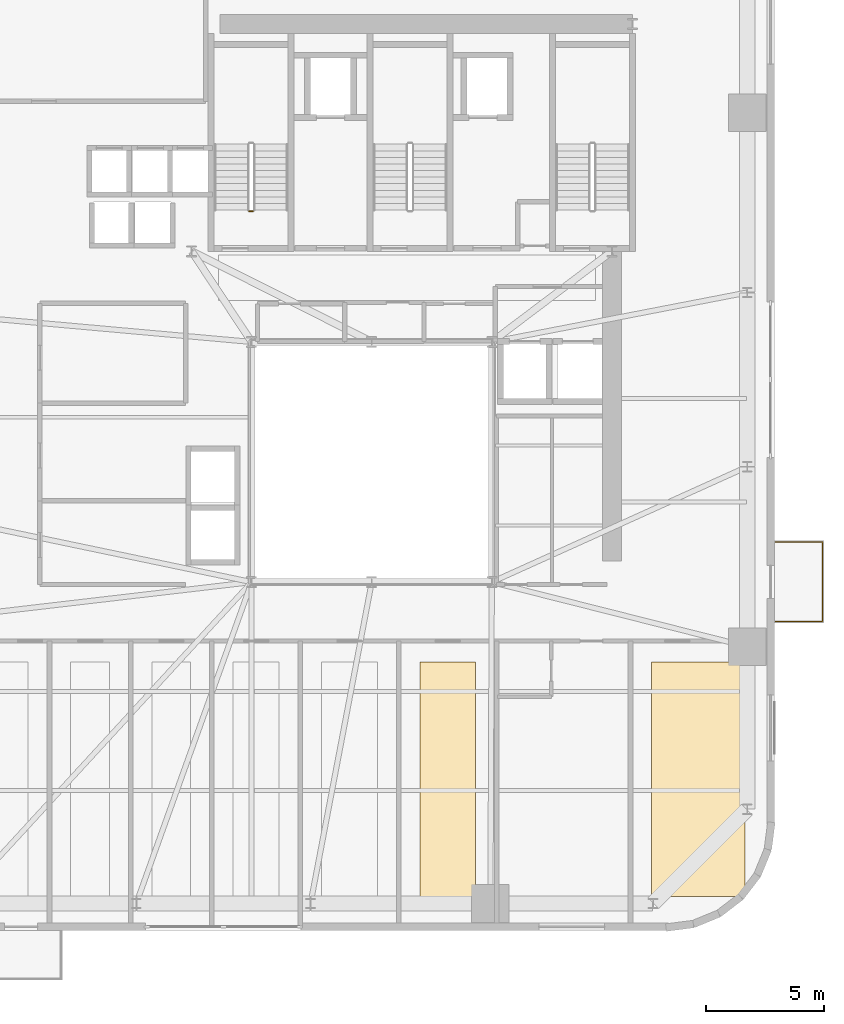
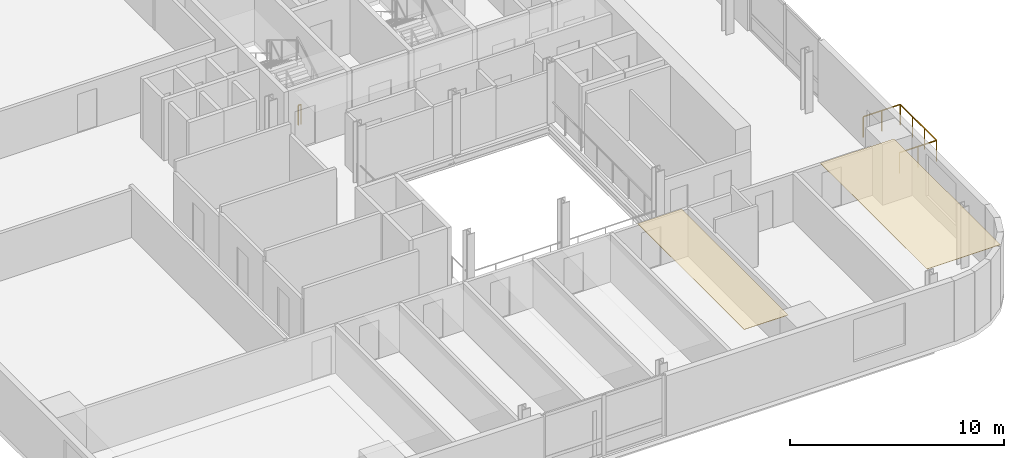
# One storey, part 11 of 14: 2 coverings, 2 railings.
"""IFC4 building model written with IfcOpenShell, lengths in metres."""

from ifc_helpers import new_model, si_unit, direction, frame, origin, origin_2d, place, context, subcontext, project, spatial, polyline, rectangle, outline, extrude, source, transform, mapped, material, layer, layer_set, type_object, element, save


model = new_model("IFC4")

# Units and contexts
model_context = context("Model", 3, precision=1e-05, world=origin(), true_north=direction((0.0, 1.0)))
body_context = subcontext(model_context, "Body", "Model", "MODEL_VIEW")
ifc_project = project(units=[si_unit("LENGTHUNIT", "METRE"), si_unit("AREAUNIT", "SQUARE_METRE"), si_unit("VOLUMEUNIT", "CUBIC_METRE"), si_unit("PLANEANGLEUNIT", "RADIAN"), si_unit("MASSUNIT", "GRAM", prefix="KILO")], contexts=[model_context])

# Site, building, storey
site_placement = place(None, origin())
site = spatial("IfcSite", under=ifc_project, at=site_placement, CompositionType="ELEMENT")
building_placement = place(site_placement, origin())
building = spatial("IfcBuilding", under=site, at=building_placement, Name="Vardaveli Station Tower", CompositionType="ELEMENT")
storey_placement = place(building_placement, frame((0.0, 0.0, 126.10009765625)))
storey = spatial("IfcBuildingStorey", under=building, at=storey_placement, Name="L32", CompositionType="ELEMENT", Elevation=126.10009765625)

# Coverings
ifc_material_1 = material(Name="Perforated acoustic mineral ceiling")
ifc_layer = layer(ifc_material_1, 0.02001953125, Name="Perforated acoustic mineral ceiling")
ifc_layer_set = layer_set([ifc_layer], Name="Perforated acoustic mineral ceiling")
covering_type = type_object("IfcCoveringType", Name="COV-CEIL-AC20", PredefinedType="CEILING", material=ifc_layer_set)
covering_1_placement = place(storey_placement, frame((0.0, 0.0, 3.44482421875)))
element("IfcCovering", 1, at=covering_1_placement, inside=storey, type_object=covering_type, Name="CEIL-L32-6", PredefinedType="CEILING", context=body_context, shape_type="SweptSolid", body=[
    extrude(outline(polyline([(38.341796875, 3.25), (40.714599609375, 3.25), (40.714599609375, 13.199951171875), (38.341796875, 13.199951171875), (38.341796875, 3.25)])), origin(), (0.0, 0.0, 1.0), 0.02001953125),
])
covering_2_placement = place(storey_placement, frame((0.0, 0.0, 3.44482421875)))
element("IfcCovering", 2, at=covering_2_placement, inside=storey, type_object=covering_type, Name="CEIL-L32-7", PredefinedType="CEILING", context=body_context, shape_type="SweptSolid", body=[
    extrude(outline(polyline([(48.1875, 3.25), (52.14990234375, 3.25), (52.14990234375, 13.199951171875), (48.1875, 13.199951171875), (48.1875, 3.25)])), origin(), (0.0, 0.0, 1.0), 0.02001953125),
])

# Railings
ifc_material_2 = material(Name="Laminated glass and stainless steel balustrade", Category="steel")
railing_type_1 = type_object("IfcRailingType", Name="RL-BAL-1200", PredefinedType="BALUSTRADE", material=ifc_material_2)
shared_shape_1 = source(origin(), body_context, "Body", "SweptSolid", [
    extrude(rectangle(XDim=0.048095703125, YDim=0.048095703125, at=origin_2d()), frame((0.0, 0.0, 1.17578125), z_axis=(1.0, 0.0, 0.0), x_axis=(0.0, 1.0, 0.0)), (0.0, 0.0, 1.0), 2.0),
    extrude(rectangle(XDim=0.048095703125, YDim=0.048095703125, at=origin_2d()), frame((2.0, 0.0, 1.17578125), z_axis=(0.0, 1.0, 0.0), x_axis=(-1.0, 0.0, 0.0)), (0.0, 0.0, 1.0), 3.3798828125),
    extrude(rectangle(XDim=0.048095703125, YDim=0.048095703125, at=origin_2d()), frame((2.0, 3.3798828125, 1.17578125), z_axis=(-1.0, 0.0, 0.0), x_axis=(0.0, -1.0, 0.0)), (0.0, 0.0, 1.0), 2.0),
    extrude(rectangle(XDim=0.0419921875, YDim=0.0419921875, at=origin_2d()), origin(), (0.0, 0.0, 1.0), 1.15185546875),
    extrude(rectangle(XDim=0.0419921875, YDim=0.0419921875, at=origin_2d()), frame((1.0, 0.0, 0.0)), (0.0, 0.0, 1.0), 1.15185546875),
    extrude(rectangle(XDim=0.0419921875, YDim=0.0419921875, at=origin_2d()), frame((2.0, 0.0, 0.0)), (0.0, 0.0, 1.0), 1.15185546875),
    extrude(rectangle(XDim=0.0419921875, YDim=0.0419921875, at=origin_2d()), frame((2.0, 1.126708984375, 0.0)), (0.0, 0.0, 1.0), 1.15185546875),
    extrude(rectangle(XDim=0.0419921875, YDim=0.0419921875, at=origin_2d()), frame((2.0, 2.253173828125, 0.0)), (0.0, 0.0, 1.0), 1.15185546875),
    extrude(rectangle(XDim=0.0419921875, YDim=0.0419921875, at=origin_2d()), frame((2.0, 3.3798828125, 0.0)), (0.0, 0.0, 1.0), 1.15185546875),
    extrude(rectangle(XDim=0.0419921875, YDim=0.0419921875, at=origin_2d()), frame((1.0, 3.3798828125, 0.0)), (0.0, 0.0, 1.0), 1.15185546875),
    extrude(rectangle(XDim=0.0419921875, YDim=0.0419921875, at=origin_2d()), frame((0.0, 3.3798828125, 0.0)), (0.0, 0.0, 1.0), 1.15185546875),
])
railing_1_placement = place(storey_placement, frame((53.43994140625, 14.92041015625, 0.0)))
element("IfcRailing", 3, at=railing_1_placement, inside=storey, type_object=railing_type_1, Name="RL-LOG-L32-04", PredefinedType="BALUSTRADE", context=body_context, shape_type="MappedRepresentation", body=[
    mapped(shared_shape_1, transform((0.0, 0.0, 0.0), scale=1.0)),
])
ifc_material_3 = material(Name="Brushed AISI 316 stainless steel", Category="steel")
railing_type_2 = type_object("IfcRailingType", Name="RL-GUARD-1150", PredefinedType="GUARDRAIL", material=ifc_material_3)
shared_shape_2 = source(origin(), body_context, "Body", "SweptSolid", [
    extrude(rectangle(XDim=0.048095703125, YDim=0.048095703125, at=origin_2d()), frame((0.0, 0.0, 1.1259765625), z_axis=(-1.0, 0.0, 0.0), x_axis=(0.0, -1.0, 0.0)), (0.0, 0.0, 1.0), 0.14990234375),
    extrude(rectangle(XDim=0.0419921875, YDim=0.0419921875, at=origin_2d()), origin(), (0.0, 0.0, 1.0), 1.101806640625),
    extrude(rectangle(XDim=0.0419921875, YDim=0.0419921875, at=origin_2d()), frame((-0.14990234375, 0.0, 0.0)), (0.0, 0.0, 1.0), 1.101806640625),
])
railing_2_placement = place(storey_placement, frame((31.25, 32.35009765625, 0.0)))
element("IfcRailing", 4, at=railing_2_placement, inside=storey, type_object=railing_type_2, Name="L32 ST-1 stair guard 4", PredefinedType="GUARDRAIL", context=body_context, shape_type="MappedRepresentation", body=[
    mapped(shared_shape_2, transform((0.0, 0.0, 0.0), scale=1.0)),
])

save(model, "model.ifc")
